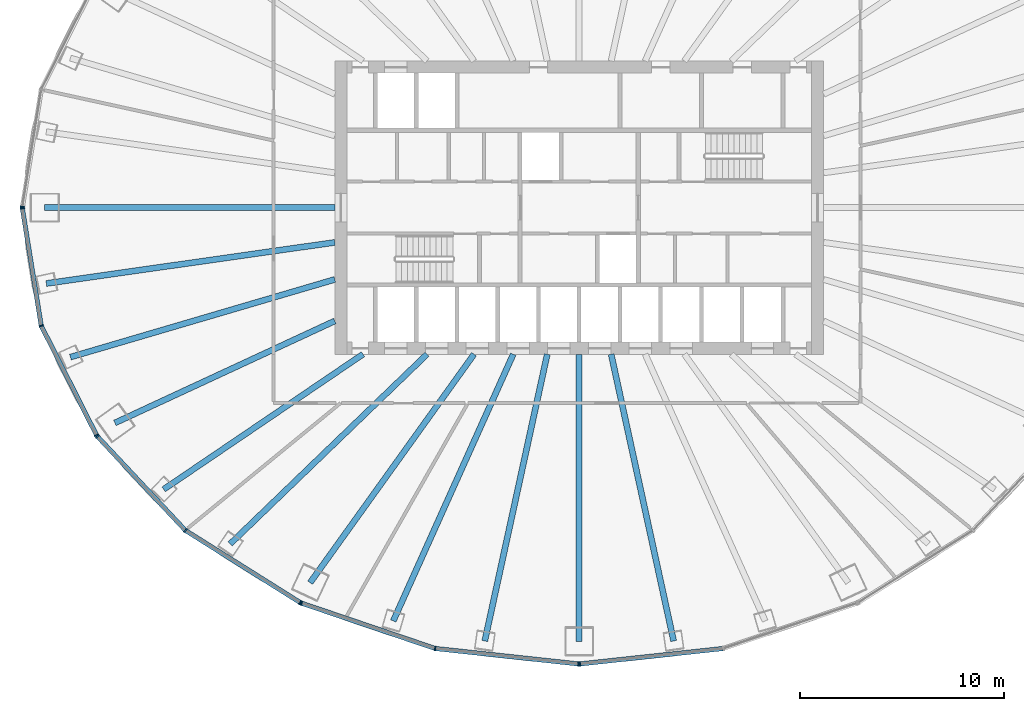
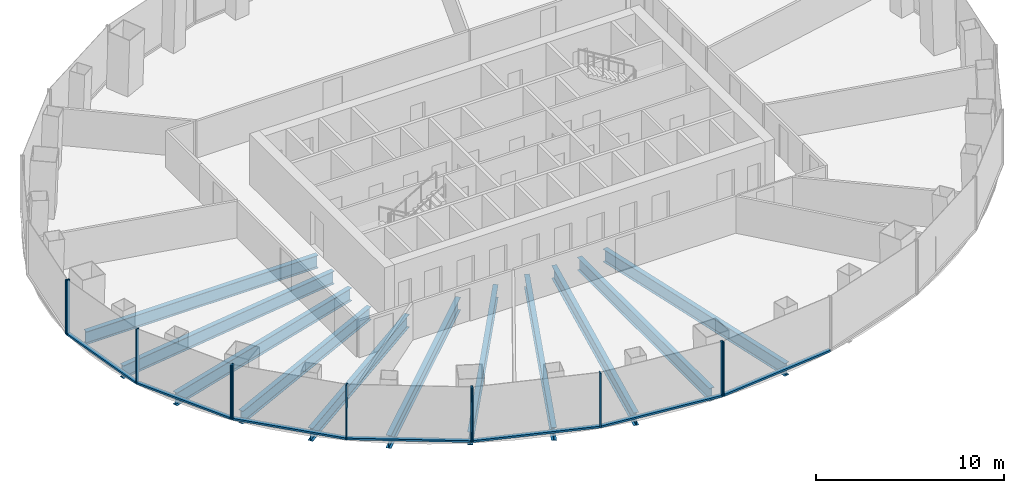
# One storey, part 2 of 11: 18 members, 11 beams, 5 elements without a shape of their own.
"""IFC4 building model written with IfcOpenShell, lengths in metres."""

from ifc_helpers import new_model, si_unit, direction, frame, origin, origin_2d, place, context, subcontext, project, spatial, rectangle, i_section, extrude, material, layer, layer_set, material_profile, profile_set, type_object, element, aggregate, save


model = new_model("IFC4")

# Units and contexts
model_context = context("Model", 3, precision=1e-05, world=origin(), true_north=direction((0.0, 1.0)))
body_context = subcontext(model_context, "Body", "Model", "MODEL_VIEW")
ifc_project = project(units=[si_unit("LENGTHUNIT", "METRE"), si_unit("AREAUNIT", "SQUARE_METRE"), si_unit("VOLUMEUNIT", "CUBIC_METRE"), si_unit("PLANEANGLEUNIT", "RADIAN"), si_unit("MASSUNIT", "GRAM", prefix="KILO")], contexts=[model_context])

# Site, building, storey
site_placement = place(None, origin())
site = spatial("IfcSite", under=ifc_project, at=site_placement, CompositionType="ELEMENT")
building_placement = place(site_placement, origin())
building = spatial("IfcBuilding", under=site, at=building_placement, Name="Siaravel Broadcast Tower", CompositionType="ELEMENT")
storey_placement = place(building_placement, frame((0.0, 0.0, 63.0)))
storey = spatial("IfcBuildingStorey", under=building, at=storey_placement, Name="L14", CompositionType="ELEMENT", Elevation=63.0)

# Beams
ifc_material_1 = material(Name="Steel S355", Category="steel")
ifc_material_profile_1 = material_profile(ifc_material_1, i_section(OverallWidth=0.291748046875, OverallDepth=0.8349609375, WebThickness=0.013916015625, FlangeThickness=0.018798828125, FilletRadius=0.017822265625, at=origin_2d()))
ifc_profile_set_1 = profile_set([ifc_material_profile_1], Name="Steel S355")
beam_type = type_object("IfcBeamType", Name="BM-UB 838x292x176", PredefinedType="BEAM", material=ifc_profile_set_1)
beam_1_placement = place(storey_placement, frame((-26.26171875, 0.0, -0.5673828125), z_axis=(1.0, 0.0, 0.0), x_axis=(0.0, 1.0, 0.0)))
element("IfcBeam", 1, at=beam_1_placement, inside=storey, type_object=beam_type, Name="Radial beam RB19", PredefinedType="BEAM", context=body_context, shape_type="SweptSolid", body=[
    extrude(i_section(OverallWidth=0.291748046875, OverallDepth=0.8349609375, WebThickness=0.013916015625, FlangeThickness=0.018798828125, FilletRadius=0.017822265625, at=origin_2d()), origin(), (0.0, 0.0, 1.0), 14.26171875),
])
beam_2_placement = place(storey_placement, frame((-26.1640625, -3.723388671875, -0.5673828125), z_axis=(0.990025799, 0.140886186, 0.0), x_axis=(-0.140886186, 0.990025799, 0.0)))
element("IfcBeam", 2, at=beam_2_placement, inside=storey, type_object=beam_type, Name="Radial beam RB20", PredefinedType="BEAM", context=body_context, shape_type="SweptSolid", body=[
    extrude(i_section(OverallWidth=0.291748046875, OverallDepth=0.8349609375, WebThickness=0.013916015625, FlangeThickness=0.018798828125, FilletRadius=0.017822265625, at=origin_2d()), origin(), (0.0, 0.0, 1.0), 14.306640625),
])
beam_3_placement = place(storey_placement, frame((-24.980712890625, -7.340576171875, -0.5673828125), z_axis=(0.959433573, 0.281934777, 0.0), x_axis=(-0.281934777, 0.959433573, 0.0)))
element("IfcBeam", 3, at=beam_3_placement, inside=storey, type_object=beam_type, Name="Radial beam RB21", PredefinedType="BEAM", context=body_context, shape_type="SweptSolid", body=[
    extrude(i_section(OverallWidth=0.291748046875, OverallDepth=0.8349609375, WebThickness=0.013916015625, FlangeThickness=0.018798828125, FilletRadius=0.017822265625, at=origin_2d()), origin(), (0.0, 0.0, 1.0), 13.529541015625),
])
beam_4_placement = place(storey_placement, frame((-22.796875, -10.572509765625, -0.5673828125), z_axis=(0.907185738, 0.420730361, 0.0), x_axis=(-0.420730361, 0.907185738, 0.0)))
element("IfcBeam", 4, at=beam_4_placement, inside=storey, type_object=beam_type, Name="Radial beam RB22", PredefinedType="BEAM", context=body_context, shape_type="SweptSolid", body=[
    extrude(i_section(OverallWidth=0.291748046875, OverallDepth=0.8349609375, WebThickness=0.013916015625, FlangeThickness=0.018798828125, FilletRadius=0.017822265625, at=origin_2d()), origin(), (0.0, 0.0, 1.0), 11.901611328125),
])
beam_5_placement = place(storey_placement, frame((-20.401611328125, -13.833984375, -0.5673828125), z_axis=(0.82766183, 0.561227133, 0.0), x_axis=(-0.561227133, 0.82766183, 0.0)))
element("IfcBeam", 5, at=beam_5_placement, inside=storey, type_object=beam_type, Name="Radial beam RB23", PredefinedType="BEAM", context=body_context, shape_type="SweptSolid", body=[
    extrude(i_section(OverallWidth=0.291748046875, OverallDepth=0.8349609375, WebThickness=0.013916015625, FlangeThickness=0.018798828125, FilletRadius=0.017822265625, at=origin_2d()), origin(), (0.0, 0.0, 1.0), 11.820556640625),
])
beam_6_placement = place(storey_placement, frame((-17.134765625, -16.509521484375, -0.5673828125), z_axis=(0.720122192, 0.693847266, 0.0), x_axis=(-0.693847266, 0.720122192, 0.0)))
element("IfcBeam", 6, at=beam_6_placement, inside=storey, type_object=beam_type, Name="Radial beam RB24", PredefinedType="BEAM", context=body_context, shape_type="SweptSolid", body=[
    extrude(i_section(OverallWidth=0.291748046875, OverallDepth=0.8349609375, WebThickness=0.013916015625, FlangeThickness=0.018798828125, FilletRadius=0.017822265625, at=origin_2d()), origin(), (0.0, 0.0, 1.0), 13.417236328125),
])
beam_7_placement = place(storey_placement, frame((-13.210693359375, -18.415283203125, -0.5673828125), z_axis=(0.582901783, 0.812542622, 0.0), x_axis=(-0.812542622, 0.582901783, 0.0)))
element("IfcBeam", 7, at=beam_7_placement, inside=storey, type_object=beam_type, Name="Radial beam RB25", PredefinedType="BEAM", context=body_context, shape_type="SweptSolid", body=[
    extrude(i_section(OverallWidth=0.291748046875, OverallDepth=0.8349609375, WebThickness=0.013916015625, FlangeThickness=0.018798828125, FilletRadius=0.017822265625, at=origin_2d()), origin(), (0.0, 0.0, 1.0), 13.802734375),
])
beam_8_placement = place(storey_placement, frame((-9.129638671875, -20.294189453125, -0.5673828125), z_axis=(0.410261452, 0.91196795, 0.0), x_axis=(-0.91196795, 0.410261452, 0.0)))
element("IfcBeam", 8, at=beam_8_placement, inside=storey, type_object=beam_type, Name="Radial beam RB26", PredefinedType="BEAM", context=body_context, shape_type="SweptSolid", body=[
    extrude(i_section(OverallWidth=0.291748046875, OverallDepth=0.8349609375, WebThickness=0.013916015625, FlangeThickness=0.018798828125, FilletRadius=0.017822265625, at=origin_2d()), origin(), (0.0, 0.0, 1.0), 14.358154296875),
])
beam_9_placement = place(storey_placement, frame((-4.636962890625, -21.280029296875, -0.5673828125), z_axis=(0.212908609, 0.977072118, 0.0), x_axis=(-0.977072118, 0.212908609, 0.0)))
element("IfcBeam", 9, at=beam_9_placement, inside=storey, type_object=beam_type, Name="Radial beam RB27", PredefinedType="BEAM", context=body_context, shape_type="SweptSolid", body=[
    extrude(i_section(OverallWidth=0.291748046875, OverallDepth=0.8349609375, WebThickness=0.013916015625, FlangeThickness=0.018798828125, FilletRadius=0.017822265625, at=origin_2d()), origin(), (0.0, 0.0, 1.0), 14.410400390625),
])
beam_10_placement = place(storey_placement, frame((0.0, -21.3125, -0.5673828125), z_axis=(0.0, 1.0, 0.0), x_axis=(-1.0, 0.0, 0.0)))
element("IfcBeam", 10, at=beam_10_placement, inside=storey, type_object=beam_type, Name="Radial beam RB28", PredefinedType="BEAM", context=body_context, shape_type="SweptSolid", body=[
    extrude(i_section(OverallWidth=0.291748046875, OverallDepth=0.8349609375, WebThickness=0.013916015625, FlangeThickness=0.018798828125, FilletRadius=0.017822265625, at=origin_2d()), origin(), (0.0, 0.0, 1.0), 14.112548828125),
])
beam_11_placement = place(storey_placement, frame((4.636962890625, -21.280029296875, -0.5673828125), z_axis=(-0.212908609, 0.977072118, 0.0), x_axis=(-0.977072118, -0.212908609, 0.0)))
element("IfcBeam", 11, at=beam_11_placement, inside=storey, type_object=beam_type, Name="Radial beam RB29", PredefinedType="BEAM", context=body_context, shape_type="SweptSolid", body=[
    extrude(i_section(OverallWidth=0.291748046875, OverallDepth=0.8349609375, WebThickness=0.013916015625, FlangeThickness=0.018798828125, FilletRadius=0.017822265625, at=origin_2d()), origin(), (0.0, 0.0, 1.0), 14.410400390625),
])

# Curtain wall, member
ifc_material_2 = material(Name="Aluminium 6063-T6", Category="aluminium")
ifc_layer = layer(ifc_material_2, 0.219970703125)
ifc_layer_set = layer_set([ifc_layer], Name="Aluminium 6063-T6")
curtain_wall_type = type_object("IfcCurtainWallType", Name="Unitised curtain wall, zone 1", PredefinedType="NOTDEFINED", material=ifc_layer_set)
curtain_wall_1_placement = place(storey_placement, origin())
curtain_wall_1 = element("IfcCurtainWall", 12, at=curtain_wall_1_placement, inside=storey, type_object=curtain_wall_type, Name="L14 Unitised curtain wall, zone 1 06", PredefinedType="NOTDEFINED")
ifc_material_profile_2 = material_profile(ifc_material_2, rectangle(XDim=0.219970703125, YDim=0.070068359375, at=origin_2d()))
ifc_profile_set_2 = profile_set([ifc_material_profile_2], Name="Aluminium 6063-T6")
member_type_1 = type_object("IfcMemberType", Name="CW-Z1 mullion", PredefinedType="MULLION", material=ifc_profile_set_2)
member_1_placement = place(storey_placement, frame((-27.34228515625, 0.03466796875, 0.0), z_axis=(0.0, 0.0, 1.0), x_axis=(0.987329063, -0.158686233, 0.0)))
member_1 = element("IfcMember", 13, at=member_1_placement, type_object=member_type_1, Name="CW-Z1 mullion 3", PredefinedType="MULLION", context=body_context, shape_type="SweptSolid", body=[
    extrude(rectangle(XDim=0.219970703125, YDim=0.070068359375, at=origin_2d()), origin(), (0.0, 0.0, 1.0), 3.550048828125),
])
aggregate(curtain_wall_1, [member_1])

# Curtain wall, members
curtain_wall_2_placement = place(storey_placement, origin())
curtain_wall_2 = element("IfcCurtainWall", 14, at=curtain_wall_2_placement, inside=storey, type_object=curtain_wall_type, Name="L14 Unitised curtain wall, zone 1 07", PredefinedType="NOTDEFINED")
member_2_placement = place(storey_placement, frame((-27.34228515625, -0.03466796875, 0.0), z_axis=(0.0, 0.0, 1.0), x_axis=(0.987329063, 0.158686233, 0.0)))
member_2 = element("IfcMember", 15, at=member_2_placement, type_object=member_type_1, Name="CW-Z1 mullion 1", PredefinedType="MULLION", context=body_context, shape_type="SweptSolid", body=[
    extrude(rectangle(XDim=0.219970703125, YDim=0.070068359375, at=origin_2d()), origin(), (0.0, 0.0, 1.0), 3.550048828125),
])
member_3_placement = place(storey_placement, frame((-26.415283203125, -5.802734375, 0.0), z_axis=(0.0, 0.0, 1.0), x_axis=(0.95117683, 0.30864646, 0.0)))
member_3 = element("IfcMember", 16, at=member_3_placement, type_object=member_type_1, Name="CW-Z1 mullion 2", PredefinedType="MULLION", context=body_context, shape_type="SweptSolid", body=[
    extrude(rectangle(XDim=0.219970703125, YDim=0.070068359375, at=origin_2d()), origin(), (0.0, 0.0, 1.0), 3.550048828125),
])
member_4_placement = place(storey_placement, frame((-23.697265625, -11.177490234375, 0.0), z_axis=(0.0, 0.0, 1.0), x_axis=(0.892391293, 0.451262428, 0.0)))
member_4 = element("IfcMember", 17, at=member_4_placement, type_object=member_type_1, Name="CW-Z1 mullion 3", PredefinedType="MULLION", context=body_context, shape_type="SweptSolid", body=[
    extrude(rectangle(XDim=0.219970703125, YDim=0.070068359375, at=origin_2d()), origin(), (0.0, 0.0, 1.0), 3.550048828125),
])

curtain_wall_3_placement = place(storey_placement, origin())
curtain_wall_3 = element("IfcCurtainWall", 18, at=curtain_wall_3_placement, inside=storey, type_object=curtain_wall_type, Name="L14 Unitised curtain wall, zone 1 08", PredefinedType="NOTDEFINED")
member_5_placement = place(storey_placement, frame((-23.657470703125, -11.234375, 0.0), z_axis=(0.0, 0.0, 1.0), x_axis=(0.729803931, 0.683656509, 0.0)))
member_5 = element("IfcMember", 19, at=member_5_placement, type_object=member_type_1, Name="CW-Z1 mullion 1", PredefinedType="MULLION", context=body_context, shape_type="SweptSolid", body=[
    extrude(rectangle(XDim=0.219970703125, YDim=0.070068359375, at=origin_2d()), origin(), (0.0, 0.0, 1.0), 3.550048828125),
])
member_6_placement = place(storey_placement, frame((-19.333984375, -15.849609375, 0.0), z_axis=(0.0, 0.0, 1.0), x_axis=(0.636217305, 0.77150991, 0.0)))
member_6 = element("IfcMember", 20, at=member_6_placement, type_object=member_type_1, Name="CW-Z1 mullion 2", PredefinedType="MULLION", context=body_context, shape_type="SweptSolid", body=[
    extrude(rectangle(XDim=0.219970703125, YDim=0.070068359375, at=origin_2d()), origin(), (0.0, 0.0, 1.0), 3.550048828125),
])
member_7_placement = place(storey_placement, frame((-13.699951171875, -19.390869140625, 0.0), z_axis=(0.0, 0.0, 1.0), x_axis=(0.532147932, 0.846651392, 0.0)))
member_7 = element("IfcMember", 21, at=member_7_placement, type_object=member_type_1, Name="CW-Z1 mullion 3", PredefinedType="MULLION", context=body_context, shape_type="SweptSolid", body=[
    extrude(rectangle(XDim=0.219970703125, YDim=0.070068359375, at=origin_2d()), origin(), (0.0, 0.0, 1.0), 3.550048828125),
])

curtain_wall_4_placement = place(storey_placement, origin())
curtain_wall_4 = element("IfcCurtainWall", 22, at=curtain_wall_4_placement, inside=storey, type_object=curtain_wall_type, Name="L14 Unitised curtain wall, zone 1 09", PredefinedType="NOTDEFINED")
member_8_placement = place(storey_placement, frame((-13.63720703125, -19.420654296875, 0.0), z_axis=(0.0, 0.0, 1.0), x_axis=(0.321299732, 0.946977551, 0.0)))
member_8 = element("IfcMember", 23, at=member_8_placement, type_object=member_type_1, Name="CW-Z1 mullion 1", PredefinedType="MULLION", context=body_context, shape_type="SweptSolid", body=[
    extrude(rectangle(XDim=0.219970703125, YDim=0.070068359375, at=origin_2d()), origin(), (0.0, 0.0, 1.0), 3.550048828125),
])
member_9_placement = place(storey_placement, frame((-7.075927734375, -21.646728515625, 0.0), z_axis=(0.0, 0.0, 1.0), x_axis=(0.215557455, 0.976491159, 0.0)))
member_9 = element("IfcMember", 24, at=member_9_placement, type_object=member_type_1, Name="CW-Z1 mullion 2", PredefinedType="MULLION", context=body_context, shape_type="SweptSolid", body=[
    extrude(rectangle(XDim=0.219970703125, YDim=0.070068359375, at=origin_2d()), origin(), (0.0, 0.0, 1.0), 3.550048828125),
])
member_10_placement = place(storey_placement, frame((-0.034912109375, -22.406005859375, 0.0), z_axis=(0.0, 0.0, 1.0), x_axis=(0.107217176, 0.994235625, 0.0)))
member_10 = element("IfcMember", 25, at=member_10_placement, type_object=member_type_1, Name="CW-Z1 mullion 3", PredefinedType="MULLION", context=body_context, shape_type="SweptSolid", body=[
    extrude(rectangle(XDim=0.219970703125, YDim=0.070068359375, at=origin_2d()), origin(), (0.0, 0.0, 1.0), 3.550048828125),
])

# Curtain wall, member
curtain_wall_5_placement = place(storey_placement, origin())
curtain_wall_5 = element("IfcCurtainWall", 26, at=curtain_wall_5_placement, inside=storey, type_object=curtain_wall_type, Name="L14 Unitised curtain wall, zone 1 10", PredefinedType="NOTDEFINED")
member_11_placement = place(storey_placement, frame((0.034912109375, -22.406005859375, 0.0), z_axis=(0.0, 0.0, 1.0), x_axis=(-0.107217176, 0.994235625, 0.0)))
member_11 = element("IfcMember", 27, at=member_11_placement, type_object=member_type_1, Name="CW-Z1 mullion 1", PredefinedType="MULLION", context=body_context, shape_type="SweptSolid", body=[
    extrude(rectangle(XDim=0.219970703125, YDim=0.070068359375, at=origin_2d()), origin(), (0.0, 0.0, 1.0), 3.550048828125),
])

# Member
ifc_material_profile_3 = material_profile(ifc_material_2, rectangle(XDim=0.219970703125, YDim=0.1201171875, at=origin_2d()))
ifc_profile_set_3 = profile_set([ifc_material_profile_3], Name="Aluminium 6063-T6")
member_type_2 = type_object("IfcMemberType", Name="CW-Z1 transom", PredefinedType="USERDEFINED", material=ifc_profile_set_3)
member_12_placement = place(storey_placement, frame((-27.336669921875, -0.069091796875, 0.06005859375), z_axis=(0.158689875, -0.987328478, 0.0), x_axis=(0.987328478, 0.158689875, 0.0)))
member_12 = element("IfcMember", 28, at=member_12_placement, type_object=member_type_2, Name="CW-Z1 transom 1", ObjectType="TRANSOM", PredefinedType="USERDEFINED", context=body_context, shape_type="SweptSolid", body=[
    extrude(rectangle(XDim=0.219970703125, YDim=0.1201171875, at=origin_2d()), origin(), (0.0, 0.0, 1.0), 5.7724609375),
])

member_13_placement = place(storey_placement, frame((-26.3994140625, -5.833984375, 0.06005859375), z_axis=(0.451293706, -0.892375477, 0.0), x_axis=(0.892375477, 0.451293706, 0.0)))
member_13 = element("IfcMember", 29, at=member_13_placement, type_object=member_type_2, Name="CW-Z1 transom 2", ObjectType="TRANSOM", PredefinedType="USERDEFINED", context=body_context, shape_type="SweptSolid", body=[
    extrude(rectangle(XDim=0.219970703125, YDim=0.1201171875, at=origin_2d()), origin(), (0.0, 0.0, 1.0), 5.952880859375),
])

aggregate(curtain_wall_2, [member_2, member_3, member_4, member_12, member_13])

member_14_placement = place(storey_placement, frame((-23.633544921875, -11.259765625, 0.06005859375), z_axis=(0.683638503, -0.729820798, 0.0), x_axis=(0.729820798, 0.683638503, 0.0)))
member_14 = element("IfcMember", 30, at=member_14_placement, type_object=member_type_2, Name="CW-Z1 transom 1", ObjectType="TRANSOM", PredefinedType="USERDEFINED", context=body_context, shape_type="SweptSolid", body=[
    extrude(rectangle(XDim=0.219970703125, YDim=0.1201171875, at=origin_2d()), origin(), (0.0, 0.0, 1.0), 6.25390625),
])

member_15_placement = place(storey_placement, frame((-19.304443359375, -15.8681640625, 0.06005859375), z_axis=(0.846643708, -0.532160155, 0.0), x_axis=(0.532160155, 0.846643708, 0.0)))
member_15 = element("IfcMember", 31, at=member_15_placement, type_object=member_type_2, Name="CW-Z1 transom 2", ObjectType="TRANSOM", PredefinedType="USERDEFINED", context=body_context, shape_type="SweptSolid", body=[
    extrude(rectangle(XDim=0.219970703125, YDim=0.1201171875, at=origin_2d()), origin(), (0.0, 0.0, 1.0), 6.584716796875),
])

aggregate(curtain_wall_3, [member_5, member_6, member_7, member_14, member_15])

member_16_placement = place(storey_placement, frame((-13.60400390625, -19.431884765625, 0.06005859375), z_axis=(0.946978894, -0.321295775, 0.0), x_axis=(0.321295775, 0.946978894, 0.0)))
member_16 = element("IfcMember", 32, at=member_16_placement, type_object=member_type_2, Name="CW-Z1 transom 1", ObjectType="TRANSOM", PredefinedType="USERDEFINED", context=body_context, shape_type="SweptSolid", body=[
    extrude(rectangle(XDim=0.219970703125, YDim=0.1201171875, at=origin_2d()), origin(), (0.0, 0.0, 1.0), 6.8583984375),
])

member_17_placement = place(storey_placement, frame((-7.041015625, -21.650634765625, 0.06005859375), z_axis=(0.994236875, -0.10720558, 0.0), x_axis=(0.10720558, 0.994236875, 0.0)))
member_17 = element("IfcMember", 33, at=member_17_placement, type_object=member_type_2, Name="CW-Z1 transom 2", ObjectType="TRANSOM", PredefinedType="USERDEFINED", context=body_context, shape_type="SweptSolid", body=[
    extrude(rectangle(XDim=0.219970703125, YDim=0.1201171875, at=origin_2d()), origin(), (0.0, 0.0, 1.0), 7.011962890625),
])

aggregate(curtain_wall_4, [member_8, member_9, member_10, member_16, member_17])

member_18_placement = place(storey_placement, frame((0.069580078125, -22.40234375, 0.06005859375), z_axis=(0.994236875, 0.10720558, 0.0), x_axis=(-0.10720558, 0.994236875, 0.0)))
member_18 = element("IfcMember", 34, at=member_18_placement, type_object=member_type_2, Name="CW-Z1 transom 1", ObjectType="TRANSOM", PredefinedType="USERDEFINED", context=body_context, shape_type="SweptSolid", body=[
    extrude(rectangle(XDim=0.219970703125, YDim=0.1201171875, at=origin_2d()), origin(), (0.0, 0.0, 1.0), 7.011962890625),
])

aggregate(curtain_wall_5, [member_11, member_18])

save(model, "model.ifc")
